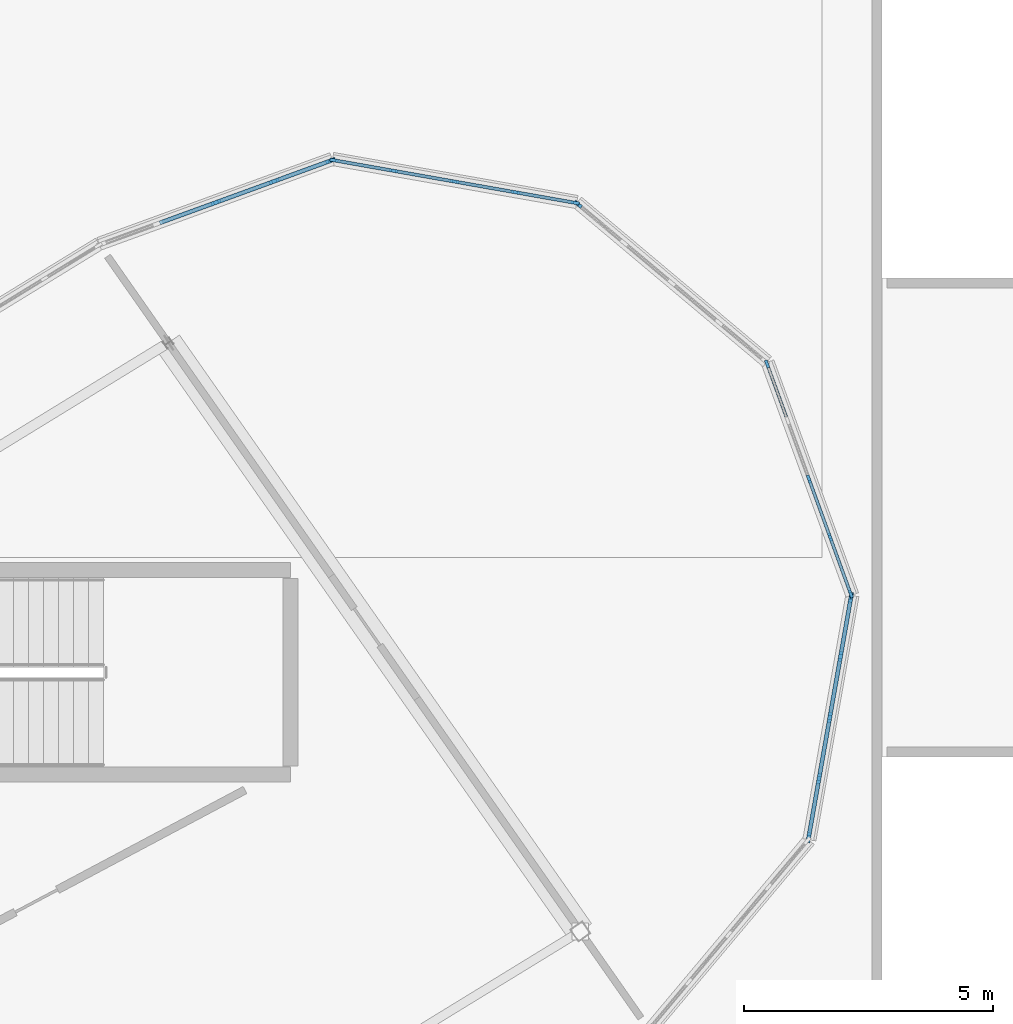
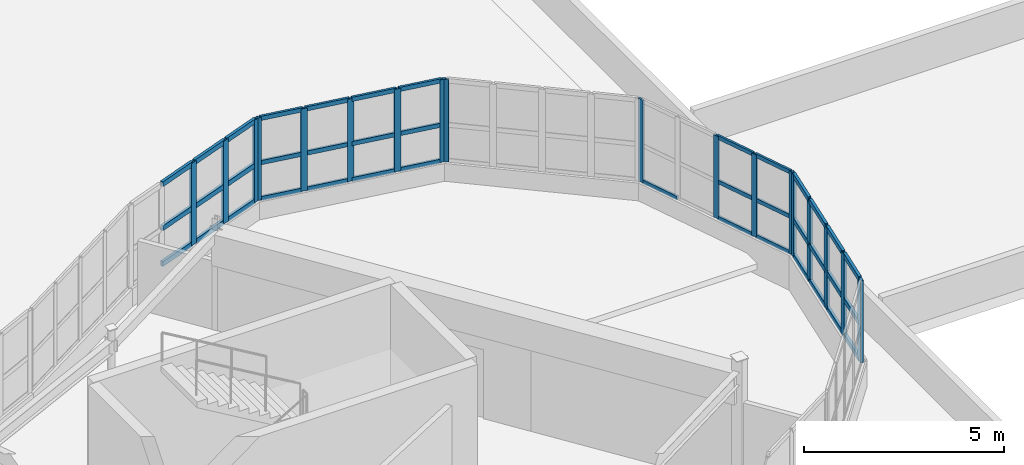
# One storey, part 36 of 128: 58 members, 5 elements without a shape of their own.
"""IFC4 building model written with IfcOpenShell, lengths in metres."""

from ifc_helpers import new_model, si_unit, direction, frame, origin, origin_2d, place, context, subcontext, project, spatial, rectangle, extrude, material, layer, layer_set, material_profile, profile_set, type_object, element, aggregate, save


model = new_model("IFC4")

# Units and contexts
model_context = context("Model", 3, precision=1e-05, world=origin(), true_north=direction((0.0, 1.0)))
body_context = subcontext(model_context, "Body", "Model", "MODEL_VIEW")
ifc_project = project(units=[si_unit("LENGTHUNIT", "METRE"), si_unit("AREAUNIT", "SQUARE_METRE"), si_unit("VOLUMEUNIT", "CUBIC_METRE"), si_unit("PLANEANGLEUNIT", "RADIAN"), si_unit("MASSUNIT", "GRAM", prefix="KILO")], contexts=[model_context])

# Site, building, storey
site_placement = place(None, origin())
site = spatial("IfcSite", under=ifc_project, at=site_placement, CompositionType="ELEMENT")
building_placement = place(site_placement, origin())
building = spatial("IfcBuilding", under=site, at=building_placement, Name="Tarnwether General Hospital", CompositionType="ELEMENT")
storey_placement = place(building_placement, frame((0.0, 0.0, 14.39990234375)))
storey = spatial("IfcBuildingStorey", under=building, at=storey_placement, Name="L03", CompositionType="ELEMENT", Elevation=14.39990234375)

# Curtain wall, members
ifc_material_1 = material(Name="Anodised aluminium", Category="aluminium")
ifc_layer = layer(ifc_material_1, 0.159912109375)
ifc_layer_set = layer_set([ifc_layer], Name="Anodised aluminium")
curtain_wall_type = type_object("IfcCurtainWallType", Name="CW-04", PredefinedType="NOTDEFINED", material=ifc_layer_set)
curtain_wall_1_placement = place(storey_placement, origin())
curtain_wall_1 = element("IfcCurtainWall", 1, at=curtain_wall_1_placement, inside=storey, type_object=curtain_wall_type, Name="Curtain Wall CWG-L03-1297_259-0166", PredefinedType="NOTDEFINED")
ifc_material_2 = material(Name="Anodised aluminium", Category="aluminium")
ifc_material_profile_1 = material_profile(ifc_material_2, rectangle(XDim=0.06005859375, YDim=0.159912109375, at=origin_2d()), Name="ALU-MUL-60x160")
ifc_profile_set_1 = profile_set([ifc_material_profile_1], Name="Anodised aluminium")
member_type_1 = type_object("IfcMemberType", Name="CW-ML1", PredefinedType="MULLION", material=ifc_profile_set_1)
member_1_placement = place(storey_placement, frame((129.7001953125, 25.8818359375, 1.050048828125), z_axis=(0.0, 0.0, 1.0), x_axis=(0.939717006582, 0.341953136469, 0.0)))
member_1 = element("IfcMember", 2, at=member_1_placement, type_object=member_type_1, Name="CW-04 mullion 1", PredefinedType="MULLION", context=body_context, shape_type="SweptSolid", body=[
    extrude(rectangle(XDim=0.06005859375, YDim=0.159912109375, at=origin_2d()), origin(), (0.0, 0.0, 1.0), 2.510009765625),
])
member_2_placement = place(storey_placement, frame((130.53955078125, 23.575439453125, 1.050048828125), z_axis=(0.0, 0.0, 1.0), x_axis=(0.939717006582, 0.341953136469, 0.0)))
member_2 = element("IfcMember", 3, at=member_2_placement, type_object=member_type_1, Name="CW-04 mullion 3", PredefinedType="MULLION", context=body_context, shape_type="SweptSolid", body=[
    extrude(rectangle(XDim=0.06005859375, YDim=0.159912109375, at=origin_2d()), origin(), (0.0, 0.0, 1.0), 2.510009765625),
])
member_3_placement = place(storey_placement, frame((130.96435546875, 22.408203125, 1.050048828125), z_axis=(0.0, 0.0, 1.0), x_axis=(0.939717006582, 0.341953136469, 0.0)))
member_3 = element("IfcMember", 4, at=member_3_placement, type_object=member_type_1, Name="CW-04 mullion 4", PredefinedType="MULLION", context=body_context, shape_type="SweptSolid", body=[
    extrude(rectangle(XDim=0.06005859375, YDim=0.159912109375, at=origin_2d()), origin(), (0.0, 0.0, 1.0), 2.510009765625),
])
member_4_placement = place(storey_placement, frame((131.378662109375, 21.269287109375, 1.050048828125), z_axis=(0.0, 0.0, 1.0), x_axis=(0.939717006582, 0.341953136469, 0.0)))
member_4 = element("IfcMember", 5, at=member_4_placement, type_object=member_type_1, Name="CW-04 mullion 5", PredefinedType="MULLION", context=body_context, shape_type="SweptSolid", body=[
    extrude(rectangle(XDim=0.06005859375, YDim=0.159912109375, at=origin_2d()), origin(), (0.0, 0.0, 1.0), 2.510009765625),
])

# Curtain wall, member
curtain_wall_2_placement = place(storey_placement, origin())
curtain_wall_2 = element("IfcCurtainWall", 6, at=curtain_wall_2_placement, inside=storey, type_object=curtain_wall_type, Name="Curtain Wall CWG-L03-1259_291-0167", PredefinedType="NOTDEFINED")
ifc_material_3 = material(Name="Anodised aluminium", Category="aluminium")
ifc_material_profile_2 = material_profile(ifc_material_3, rectangle(XDim=0.070068359375, YDim=0.179931640625, at=origin_2d()), Name="ALU-MUL-70x180")
ifc_profile_set_2 = profile_set([ifc_material_profile_2], Name="Anodised aluminium")
member_type_2 = type_object("IfcMemberType", Name="CW-ML2", PredefinedType="MULLION", material=ifc_profile_set_2)
member_5_placement = place(storey_placement, frame((125.909912109375, 29.08251953125, 1.050048828125), z_axis=(0.0, 0.0, 1.0), x_axis=(0.64285227611, 0.765990176896, 0.0)))
member_5 = element("IfcMember", 7, at=member_5_placement, type_object=member_type_2, Name="CW-04 mullion 1", PredefinedType="MULLION", context=body_context, shape_type="SweptSolid", body=[
    extrude(rectangle(XDim=0.070068359375, YDim=0.179931640625, at=origin_2d()), origin(), (0.0, 0.0, 1.0), 2.510009765625),
])
aggregate(curtain_wall_2, [member_5])

# Curtain wall, members
curtain_wall_3_placement = place(storey_placement, origin())
curtain_wall_3 = element("IfcCurtainWall", 8, at=curtain_wall_3_placement, inside=storey, type_object=curtain_wall_type, Name="Curtain Wall CWG-L03-1210_300-0168", PredefinedType="NOTDEFINED")
ifc_material_4 = material(Name="Anodised aluminium", Category="aluminium")
ifc_material_profile_3 = material_profile(ifc_material_4, rectangle(XDim=0.06494140625, YDim=0.169921875, at=origin_2d()), Name="ALU-MUL-65x170")
ifc_profile_set_3 = profile_set([ifc_material_profile_3], Name="Anodised aluminium")
member_type_3 = type_object("IfcMemberType", Name="CW-ML3", PredefinedType="MULLION", material=ifc_profile_set_3)
member_6_placement = place(storey_placement, frame((121.02099609375, 29.96240234375, 1.050048828125), z_axis=(0.0, 0.0, 1.0), x_axis=(0.173659059054, 0.984805834268, 0.0)))
member_6 = element("IfcMember", 9, at=member_6_placement, type_object=member_type_3, Name="CW-04 mullion 1", PredefinedType="MULLION", context=body_context, shape_type="SweptSolid", body=[
    extrude(rectangle(XDim=0.06494140625, YDim=0.169921875, at=origin_2d()), origin(), (0.0, 0.0, 1.0), 2.510009765625),
])
member_7_placement = place(storey_placement, frame((122.21240234375, 29.752197265625, 1.050048828125), z_axis=(0.0, 0.0, 1.0), x_axis=(0.173659059054, 0.984805834268, 0.0)))
member_7 = element("IfcMember", 10, at=member_7_placement, type_object=member_type_3, Name="CW-04 mullion 2", PredefinedType="MULLION", context=body_context, shape_type="SweptSolid", body=[
    extrude(rectangle(XDim=0.06494140625, YDim=0.169921875, at=origin_2d()), origin(), (0.0, 0.0, 1.0), 2.510009765625),
])
member_8_placement = place(storey_placement, frame((123.43603515625, 29.53662109375, 1.050048828125), z_axis=(0.0, 0.0, 1.0), x_axis=(0.173659059054, 0.984805834268, 0.0)))
member_8 = element("IfcMember", 11, at=member_8_placement, type_object=member_type_3, Name="CW-04 mullion 3", PredefinedType="MULLION", context=body_context, shape_type="SweptSolid", body=[
    extrude(rectangle(XDim=0.06494140625, YDim=0.169921875, at=origin_2d()), origin(), (0.0, 0.0, 1.0), 2.510009765625),
])
member_9_placement = place(storey_placement, frame((124.659423828125, 29.32080078125, 1.050048828125), z_axis=(0.0, 0.0, 1.0), x_axis=(0.173659059054, 0.984805834268, 0.0)))
member_9 = element("IfcMember", 12, at=member_9_placement, type_object=member_type_3, Name="CW-04 mullion 4", PredefinedType="MULLION", context=body_context, shape_type="SweptSolid", body=[
    extrude(rectangle(XDim=0.06494140625, YDim=0.169921875, at=origin_2d()), origin(), (0.0, 0.0, 1.0), 2.510009765625),
])
member_10_placement = place(storey_placement, frame((125.85107421875, 29.110595703125, 1.050048828125), z_axis=(0.0, 0.0, 1.0), x_axis=(0.173659059054, 0.984805834268, 0.0)))
member_10 = element("IfcMember", 13, at=member_10_placement, type_object=member_type_3, Name="CW-04 mullion 5", PredefinedType="MULLION", context=body_context, shape_type="SweptSolid", body=[
    extrude(rectangle(XDim=0.06494140625, YDim=0.169921875, at=origin_2d()), origin(), (0.0, 0.0, 1.0), 2.510009765625),
])

curtain_wall_4_placement = place(storey_placement, origin())
curtain_wall_4 = element("IfcCurtainWall", 14, at=curtain_wall_4_placement, inside=storey, type_object=curtain_wall_type, Name="Curtain Wall CWG-L03-1314_212-0165", PredefinedType="NOTDEFINED")
ifc_material_5 = material(Name="Anodised aluminium", Category="aluminium")
ifc_material_profile_4 = material_profile(ifc_material_5, rectangle(XDim=0.080078125, YDim=0.199951171875, at=origin_2d()), Name="ALU-MUL-80x200")
ifc_profile_set_4 = profile_set([ifc_material_profile_4], Name="Anodised aluminium")
member_type_4 = type_object("IfcMemberType", Name="CW-ML4", PredefinedType="MULLION", material=ifc_profile_set_4)
member_11_placement = place(storey_placement, frame((131.382080078125, 21.20166015625, 1.050048828125), z_axis=(0.0, 0.0, 1.0), x_axis=(0.984840230098, -0.173463890135, 0.0)))
member_11 = element("IfcMember", 15, at=member_11_placement, type_object=member_type_4, Name="CW-04 mullion 1", PredefinedType="MULLION", context=body_context, shape_type="SweptSolid", body=[
    extrude(rectangle(XDim=0.080078125, YDim=0.199951171875, at=origin_2d()), origin(), (0.0, 0.0, 1.0), 2.510009765625),
])
member_12_placement = place(storey_placement, frame((131.173583984375, 20.017578125, 1.050048828125), z_axis=(0.0, 0.0, 1.0), x_axis=(0.984840230098, -0.173463890135, 0.0)))
member_12 = element("IfcMember", 16, at=member_12_placement, type_object=member_type_4, Name="CW-04 mullion 2", PredefinedType="MULLION", context=body_context, shape_type="SweptSolid", body=[
    extrude(rectangle(XDim=0.080078125, YDim=0.199951171875, at=origin_2d()), origin(), (0.0, 0.0, 1.0), 2.510009765625),
])
member_13_placement = place(storey_placement, frame((130.9580078125, 18.7939453125, 1.050048828125), z_axis=(0.0, 0.0, 1.0), x_axis=(0.984840230098, -0.173463890135, 0.0)))
member_13 = element("IfcMember", 17, at=member_13_placement, type_object=member_type_4, Name="CW-04 mullion 3", PredefinedType="MULLION", context=body_context, shape_type="SweptSolid", body=[
    extrude(rectangle(XDim=0.080078125, YDim=0.199951171875, at=origin_2d()), origin(), (0.0, 0.0, 1.0), 2.510009765625),
])
member_14_placement = place(storey_placement, frame((130.742431640625, 17.570556640625, 1.050048828125), z_axis=(0.0, 0.0, 1.0), x_axis=(0.984840230098, -0.173463890135, 0.0)))
member_14 = element("IfcMember", 18, at=member_14_placement, type_object=member_type_4, Name="CW-04 mullion 4", PredefinedType="MULLION", context=body_context, shape_type="SweptSolid", body=[
    extrude(rectangle(XDim=0.080078125, YDim=0.199951171875, at=origin_2d()), origin(), (0.0, 0.0, 1.0), 2.510009765625),
])
member_15_placement = place(storey_placement, frame((130.533935546875, 16.386474609375, 1.050048828125), z_axis=(0.0, 0.0, 1.0), x_axis=(0.984840230098, -0.173463890135, 0.0)))
member_15 = element("IfcMember", 19, at=member_15_placement, type_object=member_type_4, Name="CW-04 mullion 5", PredefinedType="MULLION", context=body_context, shape_type="SweptSolid", body=[
    extrude(rectangle(XDim=0.080078125, YDim=0.199951171875, at=origin_2d()), origin(), (0.0, 0.0, 1.0), 2.510009765625),
])

curtain_wall_5_placement = place(storey_placement, origin())
curtain_wall_5 = element("IfcCurtainWall", 20, at=curtain_wall_5_placement, inside=storey, type_object=curtain_wall_type, Name="Curtain Wall CWG-L03-1163_283-0169", PredefinedType="NOTDEFINED")
member_16_placement = place(storey_placement, frame((118.654541015625, 29.117919921875, 1.050048828125), z_axis=(0.0, 0.0, 1.0), x_axis=(-0.342130850834, 0.939652319163, 0.0)))
member_16 = element("IfcMember", 21, at=member_16_placement, type_object=member_type_4, Name="CW-04 mullion 3", PredefinedType="MULLION", context=body_context, shape_type="SweptSolid", body=[
    extrude(rectangle(XDim=0.080078125, YDim=0.199951171875, at=origin_2d()), origin(), (0.0, 0.0, 1.0), 2.510009765625),
])
member_17_placement = place(storey_placement, frame((119.82177734375, 29.54296875, 1.050048828125), z_axis=(0.0, 0.0, 1.0), x_axis=(-0.342130850834, 0.939652319163, 0.0)))
member_17 = element("IfcMember", 22, at=member_17_placement, type_object=member_type_4, Name="CW-04 mullion 4", PredefinedType="MULLION", context=body_context, shape_type="SweptSolid", body=[
    extrude(rectangle(XDim=0.080078125, YDim=0.199951171875, at=origin_2d()), origin(), (0.0, 0.0, 1.0), 2.510009765625),
])
member_18_placement = place(storey_placement, frame((120.951416015625, 29.954345703125, 1.050048828125), z_axis=(0.0, 0.0, 1.0), x_axis=(-0.342130850834, 0.939652319163, 0.0)))
member_18 = element("IfcMember", 23, at=member_18_placement, type_object=member_type_4, Name="CW-04 mullion 5", PredefinedType="MULLION", context=body_context, shape_type="SweptSolid", body=[
    extrude(rectangle(XDim=0.080078125, YDim=0.199951171875, at=origin_2d()), origin(), (0.0, 0.0, 1.0), 2.510009765625),
])

# Member
ifc_material_6 = material(Name="Anodised aluminium", Category="aluminium")
ifc_material_profile_5 = material_profile(ifc_material_6, rectangle(XDim=0.06005859375, YDim=0.1201171875, at=origin_2d()), Name="ALU-TRN-60x120")
ifc_profile_set_5 = profile_set([ifc_material_profile_5], Name="Anodised aluminium")
member_type_5 = type_object("IfcMemberType", Name="CW-TR1", PredefinedType="USERDEFINED", material=ifc_profile_set_5)
member_19_placement = place(storey_placement, frame((129.71044921875, 25.853515625, 1.080078125), z_axis=(0.342049332837, -0.939681996159, 0.0), x_axis=(0.939681996159, 0.342049332837, 0.0)))
member_19 = element("IfcMember", 24, at=member_19_placement, type_object=member_type_5, Name="CW-04 transom 1.1", ObjectType="TRANSOM", PredefinedType="USERDEFINED", context=body_context, shape_type="SweptSolid", body=[
    extrude(rectangle(XDim=0.06005859375, YDim=0.1201171875, at=origin_2d()), origin(), (0.0, 0.0, 1.0), 1.152099609375),
])

member_20_placement = place(storey_placement, frame((130.5498046875, 23.54736328125, 1.080078125), z_axis=(0.342008368559, -0.939696906367, 0.0), x_axis=(0.939696906367, 0.342008368559, 0.0)))
member_20 = element("IfcMember", 25, at=member_20_placement, type_object=member_type_5, Name="CW-04 transom 3.1", ObjectType="TRANSOM", PredefinedType="USERDEFINED", context=body_context, shape_type="SweptSolid", body=[
    extrude(rectangle(XDim=0.06005859375, YDim=0.1201171875, at=origin_2d()), origin(), (0.0, 0.0, 1.0), 1.18212890625),
])

member_21_placement = place(storey_placement, frame((130.5498046875, 23.54736328125, 2.1796875), z_axis=(0.342008368559, -0.939696906367, 0.0), x_axis=(0.939696906367, 0.342008368559, 0.0)))
member_21 = element("IfcMember", 26, at=member_21_placement, type_object=member_type_5, Name="CW-04 transom 3.2", ObjectType="TRANSOM", PredefinedType="USERDEFINED", context=body_context, shape_type="SweptSolid", body=[
    extrude(rectangle(XDim=0.06005859375, YDim=0.1201171875, at=origin_2d()), origin(), (0.0, 0.0, 1.0), 1.18212890625),
])

member_22_placement = place(storey_placement, frame((130.5498046875, 23.54736328125, 3.530029296875), z_axis=(0.342008368559, -0.939696906367, 0.0), x_axis=(0.939696906367, 0.342008368559, 0.0)))
member_22 = element("IfcMember", 27, at=member_22_placement, type_object=member_type_5, Name="CW-04 transom 3.3", ObjectType="TRANSOM", PredefinedType="USERDEFINED", context=body_context, shape_type="SweptSolid", body=[
    extrude(rectangle(XDim=0.06005859375, YDim=0.1201171875, at=origin_2d()), origin(), (0.0, 0.0, 1.0), 1.18212890625),
])

member_23_placement = place(storey_placement, frame((130.974609375, 22.380126953125, 1.080078125), z_axis=(0.3417941041, -0.939774861551, 0.0), x_axis=(0.939774861551, 0.3417941041, 0.0)))
member_23 = element("IfcMember", 28, at=member_23_placement, type_object=member_type_5, Name="CW-04 transom 4.1", ObjectType="TRANSOM", PredefinedType="USERDEFINED", context=body_context, shape_type="SweptSolid", body=[
    extrude(rectangle(XDim=0.06005859375, YDim=0.1201171875, at=origin_2d()), origin(), (0.0, 0.0, 1.0), 1.152099609375),
])

member_24_placement = place(storey_placement, frame((130.974609375, 22.380126953125, 2.1796875), z_axis=(0.3417941041, -0.939774861551, 0.0), x_axis=(0.939774861551, 0.3417941041, 0.0)))
member_24 = element("IfcMember", 29, at=member_24_placement, type_object=member_type_5, Name="CW-04 transom 4.2", ObjectType="TRANSOM", PredefinedType="USERDEFINED", context=body_context, shape_type="SweptSolid", body=[
    extrude(rectangle(XDim=0.06005859375, YDim=0.1201171875, at=origin_2d()), origin(), (0.0, 0.0, 1.0), 1.152099609375),
])

member_25_placement = place(storey_placement, frame((130.974609375, 22.380126953125, 3.530029296875), z_axis=(0.3417941041, -0.939774861551, 0.0), x_axis=(0.939774861551, 0.3417941041, 0.0)))
member_25 = element("IfcMember", 30, at=member_25_placement, type_object=member_type_5, Name="CW-04 transom 4.3", ObjectType="TRANSOM", PredefinedType="USERDEFINED", context=body_context, shape_type="SweptSolid", body=[
    extrude(rectangle(XDim=0.06005859375, YDim=0.1201171875, at=origin_2d()), origin(), (0.0, 0.0, 1.0), 1.152099609375),
])

aggregate(curtain_wall_1, [member_1, member_2, member_3, member_4, member_19, member_20, member_21, member_22, member_23, member_24, member_25])

ifc_material_7 = material(Name="Anodised aluminium", Category="aluminium")
ifc_material_profile_6 = material_profile(ifc_material_7, rectangle(XDim=0.06494140625, YDim=0.1298828125, at=origin_2d()), Name="ALU-TRN-65x130")
ifc_profile_set_6 = profile_set([ifc_material_profile_6], Name="Anodised aluminium")
member_type_6 = type_object("IfcMemberType", Name="CW-TR3", PredefinedType="USERDEFINED", material=ifc_profile_set_6)
member_26_placement = place(storey_placement, frame((121.052978515625, 29.956787109375, 1.08251953125), z_axis=(0.984781411946, -0.173797499077, 0.0), x_axis=(0.173797499077, 0.984781411946, 0.0)))
member_26 = element("IfcMember", 31, at=member_26_placement, type_object=member_type_6, Name="CW-04 transom 1.1", ObjectType="TRANSOM", PredefinedType="USERDEFINED", context=body_context, shape_type="SweptSolid", body=[
    extrude(rectangle(XDim=0.06494140625, YDim=0.1298828125, at=origin_2d()), origin(), (0.0, 0.0, 1.0), 1.144775390625),
])

member_27_placement = place(storey_placement, frame((121.052978515625, 29.956787109375, 2.1796875), z_axis=(0.984781411946, -0.173797499077, 0.0), x_axis=(0.173797499077, 0.984781411946, 0.0)))
member_27 = element("IfcMember", 32, at=member_27_placement, type_object=member_type_6, Name="CW-04 transom 1.2", ObjectType="TRANSOM", PredefinedType="USERDEFINED", context=body_context, shape_type="SweptSolid", body=[
    extrude(rectangle(XDim=0.06494140625, YDim=0.1298828125, at=origin_2d()), origin(), (0.0, 0.0, 1.0), 1.144775390625),
])

member_28_placement = place(storey_placement, frame((121.052978515625, 29.956787109375, 3.527587890625), z_axis=(0.984781411946, -0.173797499077, 0.0), x_axis=(0.173797499077, 0.984781411946, 0.0)))
member_28 = element("IfcMember", 33, at=member_28_placement, type_object=member_type_6, Name="CW-04 transom 1.3", ObjectType="TRANSOM", PredefinedType="USERDEFINED", context=body_context, shape_type="SweptSolid", body=[
    extrude(rectangle(XDim=0.06494140625, YDim=0.1298828125, at=origin_2d()), origin(), (0.0, 0.0, 1.0), 1.144775390625),
])

member_29_placement = place(storey_placement, frame((122.244384765625, 29.74658203125, 1.08251953125), z_axis=(0.984827359444, -0.173536947338, 0.0), x_axis=(0.173536947338, 0.984827359444, 0.0)))
member_29 = element("IfcMember", 34, at=member_29_placement, type_object=member_type_6, Name="CW-04 transom 2.1", ObjectType="TRANSOM", PredefinedType="USERDEFINED", context=body_context, shape_type="SweptSolid", body=[
    extrude(rectangle(XDim=0.06494140625, YDim=0.1298828125, at=origin_2d()), origin(), (0.0, 0.0, 1.0), 1.177490234375),
])

member_30_placement = place(storey_placement, frame((122.244384765625, 29.74658203125, 2.1796875), z_axis=(0.984827359444, -0.173536947338, 0.0), x_axis=(0.173536947338, 0.984827359444, 0.0)))
member_30 = element("IfcMember", 35, at=member_30_placement, type_object=member_type_6, Name="CW-04 transom 2.2", ObjectType="TRANSOM", PredefinedType="USERDEFINED", context=body_context, shape_type="SweptSolid", body=[
    extrude(rectangle(XDim=0.06494140625, YDim=0.1298828125, at=origin_2d()), origin(), (0.0, 0.0, 1.0), 1.177490234375),
])

member_31_placement = place(storey_placement, frame((122.244384765625, 29.74658203125, 3.527587890625), z_axis=(0.984827359444, -0.173536947338, 0.0), x_axis=(0.173536947338, 0.984827359444, 0.0)))
member_31 = element("IfcMember", 36, at=member_31_placement, type_object=member_type_6, Name="CW-04 transom 2.3", ObjectType="TRANSOM", PredefinedType="USERDEFINED", context=body_context, shape_type="SweptSolid", body=[
    extrude(rectangle(XDim=0.06494140625, YDim=0.1298828125, at=origin_2d()), origin(), (0.0, 0.0, 1.0), 1.177490234375),
])

member_32_placement = place(storey_placement, frame((123.468017578125, 29.53076171875, 1.08251953125), z_axis=(0.98482111371, -0.173572388329, 0.0), x_axis=(0.173572388329, 0.98482111371, 0.0)))
member_32 = element("IfcMember", 37, at=member_32_placement, type_object=member_type_6, Name="CW-04 transom 3.1", ObjectType="TRANSOM", PredefinedType="USERDEFINED", context=body_context, shape_type="SweptSolid", body=[
    extrude(rectangle(XDim=0.06494140625, YDim=0.1298828125, at=origin_2d()), origin(), (0.0, 0.0, 1.0), 1.17724609375),
])

member_33_placement = place(storey_placement, frame((123.468017578125, 29.53076171875, 2.1796875), z_axis=(0.98482111371, -0.173572388329, 0.0), x_axis=(0.173572388329, 0.98482111371, 0.0)))
member_33 = element("IfcMember", 38, at=member_33_placement, type_object=member_type_6, Name="CW-04 transom 3.2", ObjectType="TRANSOM", PredefinedType="USERDEFINED", context=body_context, shape_type="SweptSolid", body=[
    extrude(rectangle(XDim=0.06494140625, YDim=0.1298828125, at=origin_2d()), origin(), (0.0, 0.0, 1.0), 1.17724609375),
])

member_34_placement = place(storey_placement, frame((123.468017578125, 29.53076171875, 3.527587890625), z_axis=(0.98482111371, -0.173572388329, 0.0), x_axis=(0.173572388329, 0.98482111371, 0.0)))
member_34 = element("IfcMember", 39, at=member_34_placement, type_object=member_type_6, Name="CW-04 transom 3.3", ObjectType="TRANSOM", PredefinedType="USERDEFINED", context=body_context, shape_type="SweptSolid", body=[
    extrude(rectangle(XDim=0.06494140625, YDim=0.1298828125, at=origin_2d()), origin(), (0.0, 0.0, 1.0), 1.17724609375),
])

member_35_placement = place(storey_placement, frame((124.69140625, 29.315185546875, 1.08251953125), z_axis=(0.984787851209, -0.173761008603, 0.0), x_axis=(0.173761008603, 0.984787851209, 0.0)))
member_35 = element("IfcMember", 40, at=member_35_placement, type_object=member_type_6, Name="CW-04 transom 4.1", ObjectType="TRANSOM", PredefinedType="USERDEFINED", context=body_context, shape_type="SweptSolid", body=[
    extrude(rectangle(XDim=0.06494140625, YDim=0.1298828125, at=origin_2d()), origin(), (0.0, 0.0, 1.0), 1.14501953125),
])

member_36_placement = place(storey_placement, frame((124.69140625, 29.315185546875, 2.1796875), z_axis=(0.984787851209, -0.173761008603, 0.0), x_axis=(0.173761008603, 0.984787851209, 0.0)))
member_36 = element("IfcMember", 41, at=member_36_placement, type_object=member_type_6, Name="CW-04 transom 4.2", ObjectType="TRANSOM", PredefinedType="USERDEFINED", context=body_context, shape_type="SweptSolid", body=[
    extrude(rectangle(XDim=0.06494140625, YDim=0.1298828125, at=origin_2d()), origin(), (0.0, 0.0, 1.0), 1.14501953125),
])

member_37_placement = place(storey_placement, frame((124.69140625, 29.315185546875, 3.527587890625), z_axis=(0.984787851209, -0.173761008603, 0.0), x_axis=(0.173761008603, 0.984787851209, 0.0)))
member_37 = element("IfcMember", 42, at=member_37_placement, type_object=member_type_6, Name="CW-04 transom 4.3", ObjectType="TRANSOM", PredefinedType="USERDEFINED", context=body_context, shape_type="SweptSolid", body=[
    extrude(rectangle(XDim=0.06494140625, YDim=0.1298828125, at=origin_2d()), origin(), (0.0, 0.0, 1.0), 1.14501953125),
])

aggregate(curtain_wall_3, [member_6, member_7, member_8, member_9, member_10, member_26, member_27, member_28, member_29, member_30, member_31, member_32, member_33, member_34, member_35, member_36, member_37])

ifc_material_8 = material(Name="Anodised aluminium", Category="aluminium")
ifc_material_profile_7 = material_profile(ifc_material_8, rectangle(XDim=0.080078125, YDim=0.14990234375, at=origin_2d()), Name="ALU-TRN-80x150")
ifc_profile_set_7 = profile_set([ifc_material_profile_7], Name="Anodised aluminium")
member_type_7 = type_object("IfcMemberType", Name="CW-TR4", PredefinedType="USERDEFINED", material=ifc_profile_set_7)
member_38_placement = place(storey_placement, frame((131.375244140625, 21.162109375, 1.090087890625), z_axis=(-0.173599178383, -0.984816391651, 0.0), x_axis=(0.984816391651, -0.173599178383, 0.0)))
member_38 = element("IfcMember", 43, at=member_38_placement, type_object=member_type_7, Name="CW-04 transom 1.1", ObjectType="TRANSOM", PredefinedType="USERDEFINED", context=body_context, shape_type="SweptSolid", body=[
    extrude(rectangle(XDim=0.080078125, YDim=0.14990234375, at=origin_2d()), origin(), (0.0, 0.0, 1.0), 1.122314453125),
])

member_39_placement = place(storey_placement, frame((131.375244140625, 21.162109375, 2.1796875), z_axis=(-0.173599178383, -0.984816391651, 0.0), x_axis=(0.984816391651, -0.173599178383, 0.0)))
member_39 = element("IfcMember", 44, at=member_39_placement, type_object=member_type_7, Name="CW-04 transom 1.2", ObjectType="TRANSOM", PredefinedType="USERDEFINED", context=body_context, shape_type="SweptSolid", body=[
    extrude(rectangle(XDim=0.080078125, YDim=0.14990234375, at=origin_2d()), origin(), (0.0, 0.0, 1.0), 1.122314453125),
])

member_40_placement = place(storey_placement, frame((131.375244140625, 21.162109375, 3.52001953125), z_axis=(-0.173599178383, -0.984816391651, 0.0), x_axis=(0.984816391651, -0.173599178383, 0.0)))
member_40 = element("IfcMember", 45, at=member_40_placement, type_object=member_type_7, Name="CW-04 transom 1.3", ObjectType="TRANSOM", PredefinedType="USERDEFINED", context=body_context, shape_type="SweptSolid", body=[
    extrude(rectangle(XDim=0.080078125, YDim=0.14990234375, at=origin_2d()), origin(), (0.0, 0.0, 1.0), 1.122314453125),
])

member_41_placement = place(storey_placement, frame((131.16650390625, 19.97802734375, 1.090087890625), z_axis=(-0.173521676921, -0.98483005013, 0.0), x_axis=(0.98483005013, -0.173521676921, 0.0)))
member_41 = element("IfcMember", 46, at=member_41_placement, type_object=member_type_7, Name="CW-04 transom 2.1", ObjectType="TRANSOM", PredefinedType="USERDEFINED", context=body_context, shape_type="SweptSolid", body=[
    extrude(rectangle(XDim=0.080078125, YDim=0.14990234375, at=origin_2d()), origin(), (0.0, 0.0, 1.0), 1.162109375),
])

member_42_placement = place(storey_placement, frame((131.16650390625, 19.97802734375, 2.1796875), z_axis=(-0.173521676921, -0.98483005013, 0.0), x_axis=(0.98483005013, -0.173521676921, 0.0)))
member_42 = element("IfcMember", 47, at=member_42_placement, type_object=member_type_7, Name="CW-04 transom 2.2", ObjectType="TRANSOM", PredefinedType="USERDEFINED", context=body_context, shape_type="SweptSolid", body=[
    extrude(rectangle(XDim=0.080078125, YDim=0.14990234375, at=origin_2d()), origin(), (0.0, 0.0, 1.0), 1.162109375),
])

member_43_placement = place(storey_placement, frame((131.16650390625, 19.97802734375, 3.52001953125), z_axis=(-0.173521676921, -0.98483005013, 0.0), x_axis=(0.98483005013, -0.173521676921, 0.0)))
member_43 = element("IfcMember", 48, at=member_43_placement, type_object=member_type_7, Name="CW-04 transom 2.3", ObjectType="TRANSOM", PredefinedType="USERDEFINED", context=body_context, shape_type="SweptSolid", body=[
    extrude(rectangle(XDim=0.080078125, YDim=0.14990234375, at=origin_2d()), origin(), (0.0, 0.0, 1.0), 1.162109375),
])

member_44_placement = place(storey_placement, frame((130.951171875, 18.754638671875, 1.090087890625), z_axis=(-0.173485784706, -0.984836373468, 0.0), x_axis=(0.984836373468, -0.173485784706, 0.0)))
member_44 = element("IfcMember", 49, at=member_44_placement, type_object=member_type_7, Name="CW-04 transom 3.1", ObjectType="TRANSOM", PredefinedType="USERDEFINED", context=body_context, shape_type="SweptSolid", body=[
    extrude(rectangle(XDim=0.080078125, YDim=0.14990234375, at=origin_2d()), origin(), (0.0, 0.0, 1.0), 1.162353515625),
])

member_45_placement = place(storey_placement, frame((130.951171875, 18.754638671875, 2.1796875), z_axis=(-0.173485784706, -0.984836373468, 0.0), x_axis=(0.984836373468, -0.173485784706, 0.0)))
member_45 = element("IfcMember", 50, at=member_45_placement, type_object=member_type_7, Name="CW-04 transom 3.2", ObjectType="TRANSOM", PredefinedType="USERDEFINED", context=body_context, shape_type="SweptSolid", body=[
    extrude(rectangle(XDim=0.080078125, YDim=0.14990234375, at=origin_2d()), origin(), (0.0, 0.0, 1.0), 1.162353515625),
])

member_46_placement = place(storey_placement, frame((130.951171875, 18.754638671875, 3.52001953125), z_axis=(-0.173485784706, -0.984836373468, 0.0), x_axis=(0.984836373468, -0.173485784706, 0.0)))
member_46 = element("IfcMember", 51, at=member_46_placement, type_object=member_type_7, Name="CW-04 transom 3.3", ObjectType="TRANSOM", PredefinedType="USERDEFINED", context=body_context, shape_type="SweptSolid", body=[
    extrude(rectangle(XDim=0.080078125, YDim=0.14990234375, at=origin_2d()), origin(), (0.0, 0.0, 1.0), 1.162353515625),
])

member_47_placement = place(storey_placement, frame((130.735595703125, 17.531005859375, 1.090087890625), z_axis=(-0.173599178383, -0.984816391651, 0.0), x_axis=(0.984816391651, -0.173599178383, 0.0)))
member_47 = element("IfcMember", 52, at=member_47_placement, type_object=member_type_7, Name="CW-04 transom 4.1", ObjectType="TRANSOM", PredefinedType="USERDEFINED", context=body_context, shape_type="SweptSolid", body=[
    extrude(rectangle(XDim=0.080078125, YDim=0.14990234375, at=origin_2d()), origin(), (0.0, 0.0, 1.0), 1.122314453125),
])

member_48_placement = place(storey_placement, frame((130.735595703125, 17.531005859375, 2.1796875), z_axis=(-0.173599178383, -0.984816391651, 0.0), x_axis=(0.984816391651, -0.173599178383, 0.0)))
member_48 = element("IfcMember", 53, at=member_48_placement, type_object=member_type_7, Name="CW-04 transom 4.2", ObjectType="TRANSOM", PredefinedType="USERDEFINED", context=body_context, shape_type="SweptSolid", body=[
    extrude(rectangle(XDim=0.080078125, YDim=0.14990234375, at=origin_2d()), origin(), (0.0, 0.0, 1.0), 1.122314453125),
])

member_49_placement = place(storey_placement, frame((130.735595703125, 17.531005859375, 3.52001953125), z_axis=(-0.173599178383, -0.984816391651, 0.0), x_axis=(0.984816391651, -0.173599178383, 0.0)))
member_49 = element("IfcMember", 54, at=member_49_placement, type_object=member_type_7, Name="CW-04 transom 4.3", ObjectType="TRANSOM", PredefinedType="USERDEFINED", context=body_context, shape_type="SweptSolid", body=[
    extrude(rectangle(XDim=0.080078125, YDim=0.14990234375, at=origin_2d()), origin(), (0.0, 0.0, 1.0), 1.122314453125),
])

aggregate(curtain_wall_4, [member_11, member_12, member_13, member_14, member_15, member_38, member_39, member_40, member_41, member_42, member_43, member_44, member_45, member_46, member_47, member_48, member_49])

member_50_placement = place(storey_placement, frame((117.52490234375, 28.706787109375, 1.090087890625), z_axis=(0.939695244401, 0.342012934917, 0.0), x_axis=(-0.342012934917, 0.939695244401, 0.0)))
member_50 = element("IfcMember", 55, at=member_50_placement, type_object=member_type_7, Name="CW-04 transom 2.1", ObjectType="TRANSOM", PredefinedType="USERDEFINED", context=body_context, shape_type="SweptSolid", body=[
    extrude(rectangle(XDim=0.080078125, YDim=0.14990234375, at=origin_2d()), origin(), (0.0, 0.0, 1.0), 1.162109375),
])

member_51_placement = place(storey_placement, frame((117.52490234375, 28.706787109375, 2.1796875), z_axis=(0.939695244401, 0.342012934917, 0.0), x_axis=(-0.342012934917, 0.939695244401, 0.0)))
member_51 = element("IfcMember", 56, at=member_51_placement, type_object=member_type_7, Name="CW-04 transom 2.2", ObjectType="TRANSOM", PredefinedType="USERDEFINED", context=body_context, shape_type="SweptSolid", body=[
    extrude(rectangle(XDim=0.080078125, YDim=0.14990234375, at=origin_2d()), origin(), (0.0, 0.0, 1.0), 1.162109375),
])

member_52_placement = place(storey_placement, frame((117.52490234375, 28.706787109375, 3.52001953125), z_axis=(0.939695244401, 0.342012934917, 0.0), x_axis=(-0.342012934917, 0.939695244401, 0.0)))
member_52 = element("IfcMember", 57, at=member_52_placement, type_object=member_type_7, Name="CW-04 transom 2.3", ObjectType="TRANSOM", PredefinedType="USERDEFINED", context=body_context, shape_type="SweptSolid", body=[
    extrude(rectangle(XDim=0.080078125, YDim=0.14990234375, at=origin_2d()), origin(), (0.0, 0.0, 1.0), 1.162109375),
])

member_53_placement = place(storey_placement, frame((118.692138671875, 29.131591796875, 1.090087890625), z_axis=(0.939627713237, 0.342198422728, 0.0), x_axis=(-0.342198422728, 0.939627713237, 0.0)))
member_53 = element("IfcMember", 58, at=member_53_placement, type_object=member_type_7, Name="CW-04 transom 3.1", ObjectType="TRANSOM", PredefinedType="USERDEFINED", context=body_context, shape_type="SweptSolid", body=[
    extrude(rectangle(XDim=0.080078125, YDim=0.14990234375, at=origin_2d()), origin(), (0.0, 0.0, 1.0), 1.162109375),
])

member_54_placement = place(storey_placement, frame((118.692138671875, 29.131591796875, 2.1796875), z_axis=(0.939627713237, 0.342198422728, 0.0), x_axis=(-0.342198422728, 0.939627713237, 0.0)))
member_54 = element("IfcMember", 59, at=member_54_placement, type_object=member_type_7, Name="CW-04 transom 3.2", ObjectType="TRANSOM", PredefinedType="USERDEFINED", context=body_context, shape_type="SweptSolid", body=[
    extrude(rectangle(XDim=0.080078125, YDim=0.14990234375, at=origin_2d()), origin(), (0.0, 0.0, 1.0), 1.162109375),
])

member_55_placement = place(storey_placement, frame((118.692138671875, 29.131591796875, 3.52001953125), z_axis=(0.939627713237, 0.342198422728, 0.0), x_axis=(-0.342198422728, 0.939627713237, 0.0)))
member_55 = element("IfcMember", 60, at=member_55_placement, type_object=member_type_7, Name="CW-04 transom 3.3", ObjectType="TRANSOM", PredefinedType="USERDEFINED", context=body_context, shape_type="SweptSolid", body=[
    extrude(rectangle(XDim=0.080078125, YDim=0.14990234375, at=origin_2d()), origin(), (0.0, 0.0, 1.0), 1.162109375),
])

member_56_placement = place(storey_placement, frame((119.859375, 29.556640625, 1.090087890625), z_axis=(0.939621801611, 0.342214654766, 0.0), x_axis=(-0.342214654766, 0.939621801611, 0.0)))
member_56 = element("IfcMember", 61, at=member_56_placement, type_object=member_type_7, Name="CW-04 transom 4.1", ObjectType="TRANSOM", PredefinedType="USERDEFINED", context=body_context, shape_type="SweptSolid", body=[
    extrude(rectangle(XDim=0.080078125, YDim=0.14990234375, at=origin_2d()), origin(), (0.0, 0.0, 1.0), 1.122314453125),
])

member_57_placement = place(storey_placement, frame((119.859375, 29.556640625, 2.1796875), z_axis=(0.939621801611, 0.342214654766, 0.0), x_axis=(-0.342214654766, 0.939621801611, 0.0)))
member_57 = element("IfcMember", 62, at=member_57_placement, type_object=member_type_7, Name="CW-04 transom 4.2", ObjectType="TRANSOM", PredefinedType="USERDEFINED", context=body_context, shape_type="SweptSolid", body=[
    extrude(rectangle(XDim=0.080078125, YDim=0.14990234375, at=origin_2d()), origin(), (0.0, 0.0, 1.0), 1.122314453125),
])

member_58_placement = place(storey_placement, frame((119.859375, 29.556640625, 3.52001953125), z_axis=(0.939621801611, 0.342214654766, 0.0), x_axis=(-0.342214654766, 0.939621801611, 0.0)))
member_58 = element("IfcMember", 63, at=member_58_placement, type_object=member_type_7, Name="CW-04 transom 4.3", ObjectType="TRANSOM", PredefinedType="USERDEFINED", context=body_context, shape_type="SweptSolid", body=[
    extrude(rectangle(XDim=0.080078125, YDim=0.14990234375, at=origin_2d()), origin(), (0.0, 0.0, 1.0), 1.122314453125),
])

aggregate(curtain_wall_5, [member_16, member_17, member_18, member_50, member_51, member_52, member_53, member_54, member_55, member_56, member_57, member_58])

save(model, "model.ifc")
